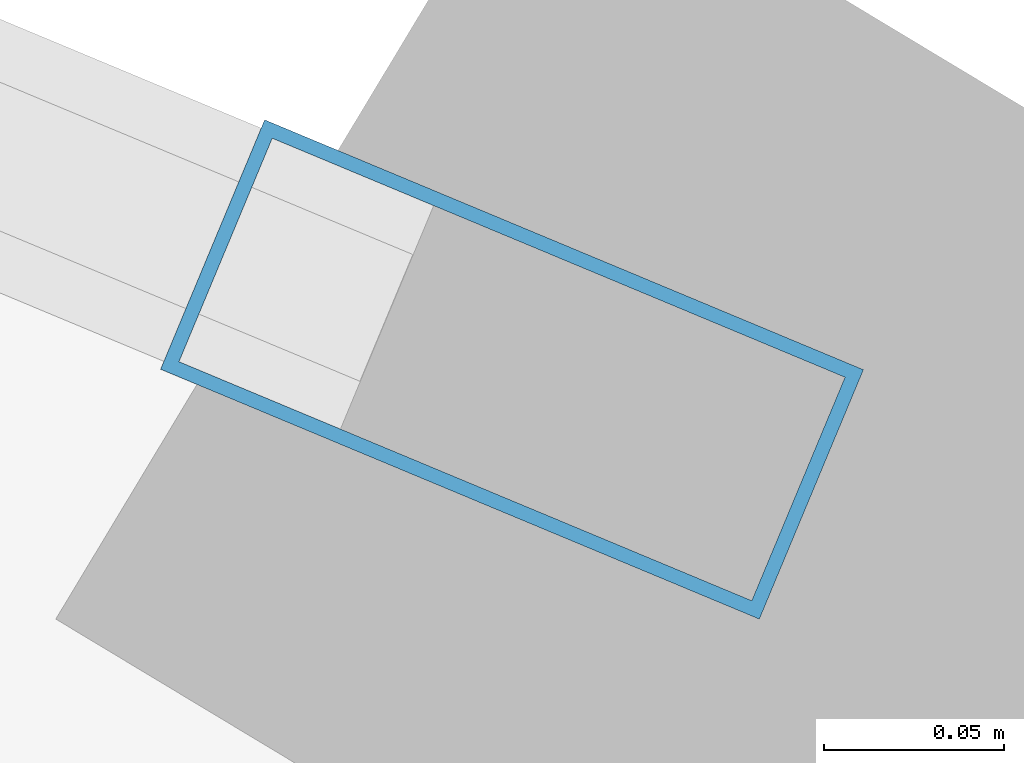
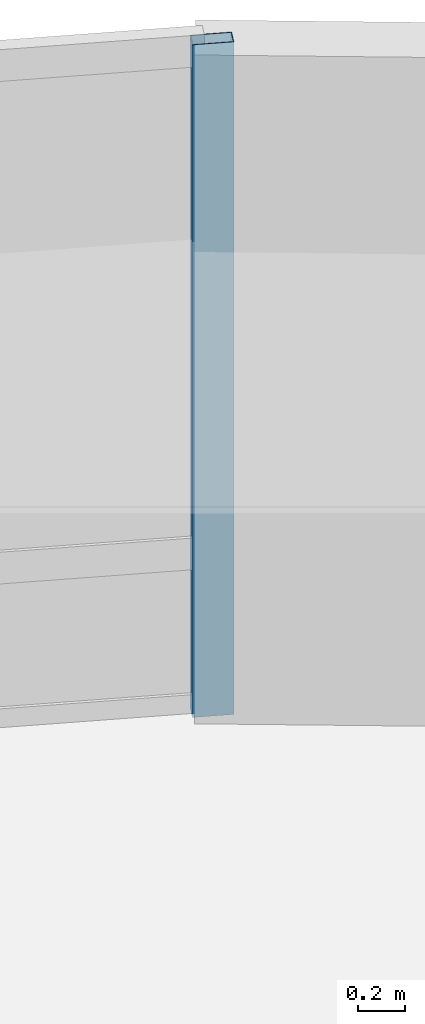
# One storey, part 12 of 18: 1 member, 1 element without a shape of its own.
"""IFC4 building model written with IfcOpenShell, lengths in metres."""

from ifc_helpers import new_model, si_unit, direction, frame, origin, origin_2d, place, context, subcontext, project, spatial, hollow_rectangle, extrude, material, layer, layer_set, material_profile, profile_set, type_object, element, aggregate, save


model = new_model("IFC4")

# Units and contexts
model_context = context("Model", 3, precision=1e-05, world=origin(), true_north=direction((0.0, 1.0)))
body_context = subcontext(model_context, "Body", "Model", "MODEL_VIEW")
ifc_project = project(units=[si_unit("LENGTHUNIT", "METRE"), si_unit("AREAUNIT", "SQUARE_METRE"), si_unit("VOLUMEUNIT", "CUBIC_METRE"), si_unit("PLANEANGLEUNIT", "RADIAN"), si_unit("MASSUNIT", "GRAM", prefix="KILO")], contexts=[model_context])

# Site, building, storey
site_placement = place(None, origin())
site = spatial("IfcSite", under=ifc_project, at=site_placement, CompositionType="ELEMENT")
building_placement = place(site_placement, origin())
building = spatial("IfcBuilding", under=site, at=building_placement, Name="Menara Vayukalpa", CompositionType="ELEMENT")
storey_placement = place(building_placement, frame((0.0, 0.0, 158.0400390625)))
storey = spatial("IfcBuildingStorey", under=building, at=storey_placement, Name="L39", CompositionType="ELEMENT", Elevation=158.0400390625)

# Curtain wall, member
ifc_material_1 = material(Name="Anodised Terracotta Aluminium Alloy 6063-T6", Category="masonry")
ifc_layer = layer(ifc_material_1, 0.179931640625)
ifc_layer_set = layer_set([ifc_layer], Name="Anodised Terracotta Aluminium Alloy 6063-T6")
curtain_wall_type = type_object("IfcCurtainWallType", Name="CW-CW4", PredefinedType="USERDEFINED", material=ifc_layer_set)
curtain_wall_placement = place(storey_placement, origin())
curtain_wall = element("IfcCurtainWall", 1, at=curtain_wall_placement, inside=storey, type_object=curtain_wall_type, Name="L39 Sky Bar Cantilever Glazed Curtain Wall CW4 04", ObjectType="UNITISED", PredefinedType="USERDEFINED")
ifc_material_2 = material(Name="Anodised Terracotta Aluminium Alloy 6063-T6", Category="masonry")
ifc_material_profile = material_profile(ifc_material_2, hollow_rectangle(XDim=0.074951171875, YDim=0.179931640625, WallThickness=0.00390625, at=origin_2d()), Name="ALU 75x180x4")
ifc_profile_set = profile_set([ifc_material_profile], Name="Anodised Terracotta Aluminium Alloy 6063-T6")
member_type = type_object("IfcMemberType", Name="CWM-CW4", PredefinedType="MULLION", material=ifc_profile_set)
member_placement = place(storey_placement, frame((46.20068359375, 29.039794921875, 0.0), z_axis=(0.0, 0.0, 1.0), x_axis=(-0.385091352437, -0.922878459104, 0.0)))
member = element("IfcMember", 2, at=member_placement, type_object=member_type, Name="CW4 mullion 1", PredefinedType="MULLION", context=body_context, shape_type="SweptSolid", body=[
    extrude(hollow_rectangle(XDim=0.074951171875, YDim=0.179931640625, WallThickness=0.00390625, at=origin_2d()), origin(), (0.0, 0.0, 1.0), 3.5),
])
aggregate(curtain_wall, [member])

save(model, "model.ifc")
